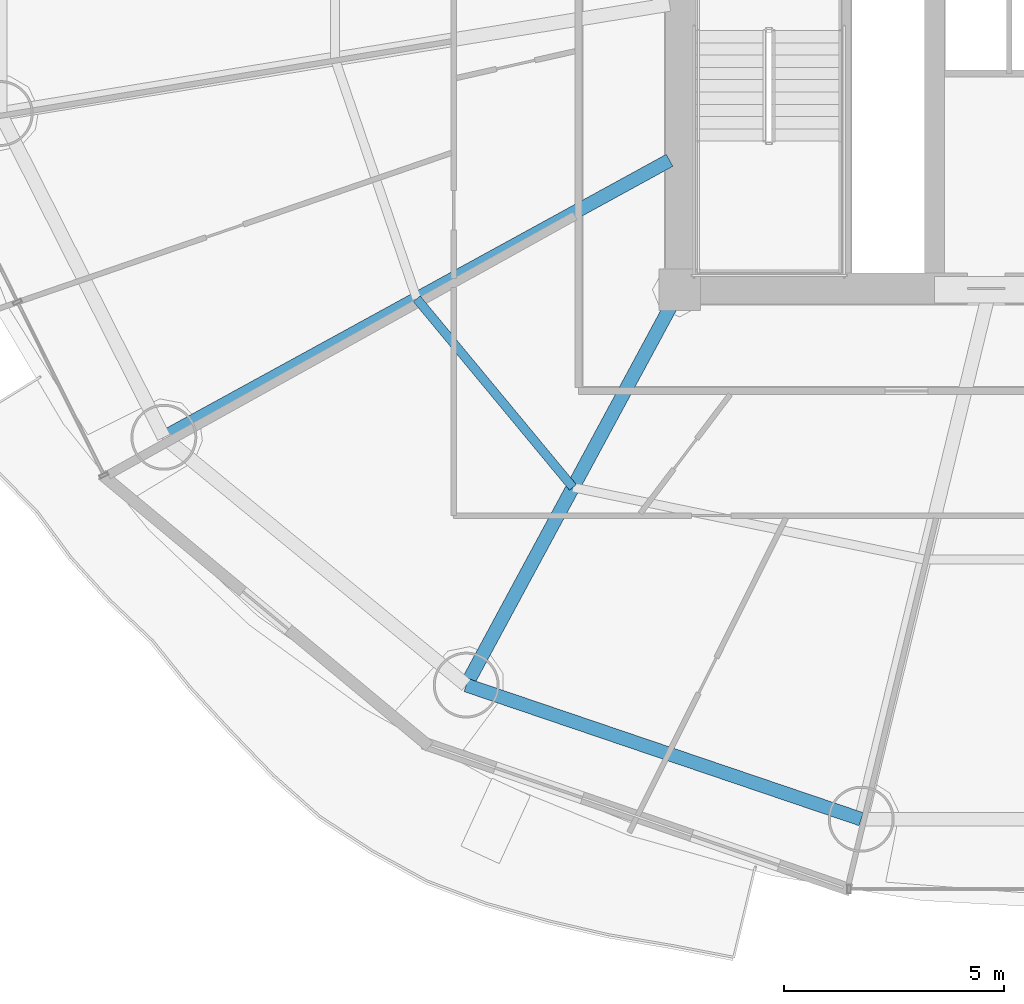
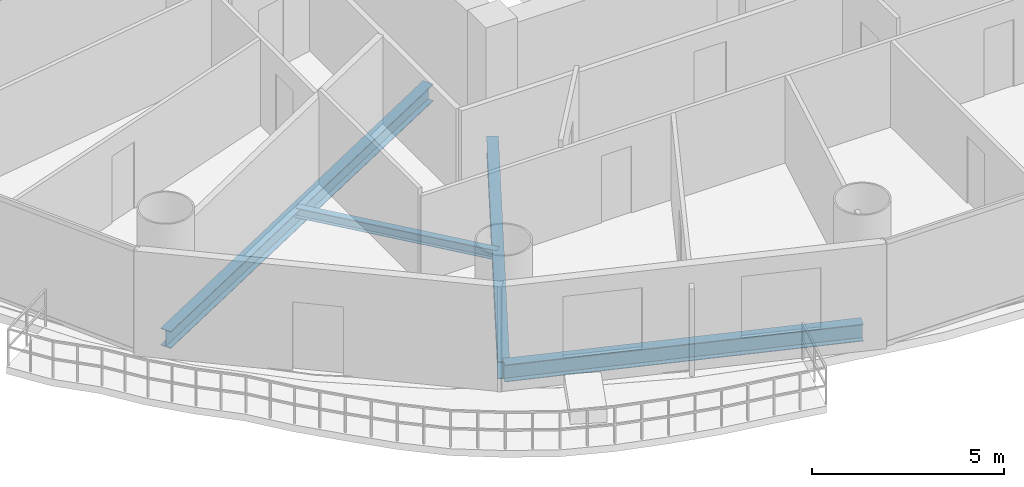
# One storey, part 3 of 28: 4 beams.
"""IFC4 building model written with IfcOpenShell, lengths in metres."""

from ifc_helpers import new_model, si_unit, direction, frame, origin, origin_2d, place, context, subcontext, project, spatial, i_section, extrude, material, material_profile, profile_set, type_object, element, save


model = new_model("IFC4")

# Units and contexts
model_context = context("Model", 3, precision=1e-05, world=origin(), true_north=direction((-0.2419218956, 0.970295726276)))
body_context = subcontext(model_context, "Body", "Model", "MODEL_VIEW")
ifc_project = project(units=[si_unit("LENGTHUNIT", "METRE"), si_unit("AREAUNIT", "SQUARE_METRE"), si_unit("VOLUMEUNIT", "CUBIC_METRE"), si_unit("PLANEANGLEUNIT", "RADIAN"), si_unit("MASSUNIT", "GRAM", prefix="KILO")], contexts=[model_context])

# Site, building, storey
site_placement = place(None, origin())
site = spatial("IfcSite", under=ifc_project, at=site_placement, CompositionType="ELEMENT")
building_placement = place(site_placement, origin())
building = spatial("IfcBuilding", under=site, at=building_placement, Name="Cobrevalo Terracotta Tower", CompositionType="ELEMENT")
storey_placement = place(building_placement, frame((0.0, 0.0, 108.60009765625)))
storey = spatial("IfcBuildingStorey", under=building, at=storey_placement, Name="L28", CompositionType="ELEMENT", Elevation=108.60009765625)

# Beams
ifc_material = material(Name="Steel S355", Category="steel")
ifc_material_profile_1 = material_profile(ifc_material, i_section(OverallWidth=0.31201171875, OverallDepth=0.54296875, WebThickness=0.0126953125, FlangeThickness=0.020263671875, at=origin_2d()), Name="W 530x150")
ifc_profile_set_1 = profile_set([ifc_material_profile_1], Name="Steel S355")
beam_type_1 = type_object("IfcBeamType", Name="Structural Beam W 530x150 (Steel S355)", PredefinedType="BEAM", material=ifc_profile_set_1)
beam_1_placement = place(storey_placement, frame((17.2548828125, 15.4384765625, -0.546630859375), z_axis=(0.877072765004, 0.480357538599, 0.0), x_axis=(-0.480357538599, 0.877072765004, 0.0)))
element("IfcBeam", 1, at=beam_1_placement, inside=storey, type_object=beam_type_1, Name="L28 radial floor girder 10", PredefinedType="BEAM", context=body_context, shape_type="SweptSolid", body=[
    extrude(i_section(OverallWidth=0.31201171875, OverallDepth=0.54296875, WebThickness=0.0126953125, FlangeThickness=0.020263671875, at=origin_2d()), origin(), (0.0, 0.0, 1.0), 13.129150390625),
])
beam_2_placement = place(storey_placement, frame((24.138427734375, 9.79638671875, -0.546630859375), z_axis=(0.475118249298, 0.879921956303, 0.0), x_axis=(-0.879921956303, 0.475118249298, 0.0)))
element("IfcBeam", 2, at=beam_2_placement, inside=storey, type_object=beam_type_1, Name="L28 radial floor girder 11", PredefinedType="BEAM", context=body_context, shape_type="SweptSolid", body=[
    extrude(i_section(OverallWidth=0.31201171875, OverallDepth=0.54296875, WebThickness=0.0126953125, FlangeThickness=0.020263671875, at=origin_2d()), origin(), (0.0, 0.0, 1.0), 10.232421875),
])
ifc_material_profile_2 = material_profile(ifc_material, i_section(OverallWidth=0.2041015625, OverallDepth=0.305908203125, WebThickness=0.008544921875, FlangeThickness=0.0146484375, at=origin_2d()), Name="W 310x67")
ifc_profile_set_2 = profile_set([ifc_material_profile_2], Name="Steel S355")
beam_type_2 = type_object("IfcBeamType", Name="Structural Joist W 310x67 (Steel S355)", PredefinedType="JOIST", material=ifc_profile_set_2)
beam_3_placement = place(storey_placement, frame((23.012451171875, 18.591796875, -0.427978515625), z_axis=(0.6379592588, -0.77007011636, 0.0), x_axis=(0.77007011636, 0.6379592588, 0.0)))
element("IfcBeam", 3, at=beam_3_placement, inside=storey, type_object=beam_type_2, Name="L28 circumferential secondary floor joist 10", PredefinedType="JOIST", context=body_context, shape_type="SweptSolid", body=[
    extrude(i_section(OverallWidth=0.2041015625, OverallDepth=0.305908203125, WebThickness=0.008544921875, FlangeThickness=0.0146484375, at=origin_2d()), origin(), (0.0, 0.0, 1.0), 5.575439453125),
])
ifc_material_profile_3 = material_profile(ifc_material, i_section(OverallWidth=0.31201171875, OverallDepth=0.54296875, WebThickness=0.0126953125, FlangeThickness=0.020263671875, at=origin_2d()), Name="W 530x150")
ifc_profile_set_3 = profile_set([ifc_material_profile_3], Name="Steel S355")
beam_type_3 = type_object("IfcBeamType", Name="Structural Spandrel W 530x150 (Steel S355)", PredefinedType="SPANDREL", material=ifc_profile_set_3)
beam_4_placement = place(storey_placement, frame((24.138427734375, 9.79638671875, -0.546630859375), z_axis=(0.94691835344, -0.321474154356, 0.0), x_axis=(0.321474154356, 0.94691835344, 0.0)))
element("IfcBeam", 4, at=beam_4_placement, inside=storey, type_object=beam_type_3, Name="L28 perimeter ring spandrel 11", PredefinedType="SPANDREL", context=body_context, shape_type="SweptSolid", body=[
    extrude(i_section(OverallWidth=0.31201171875, OverallDepth=0.54296875, WebThickness=0.0126953125, FlangeThickness=0.020263671875, at=origin_2d()), origin(), (0.0, 0.0, 1.0), 9.498291015625),
])

save(model, "model.ifc")
